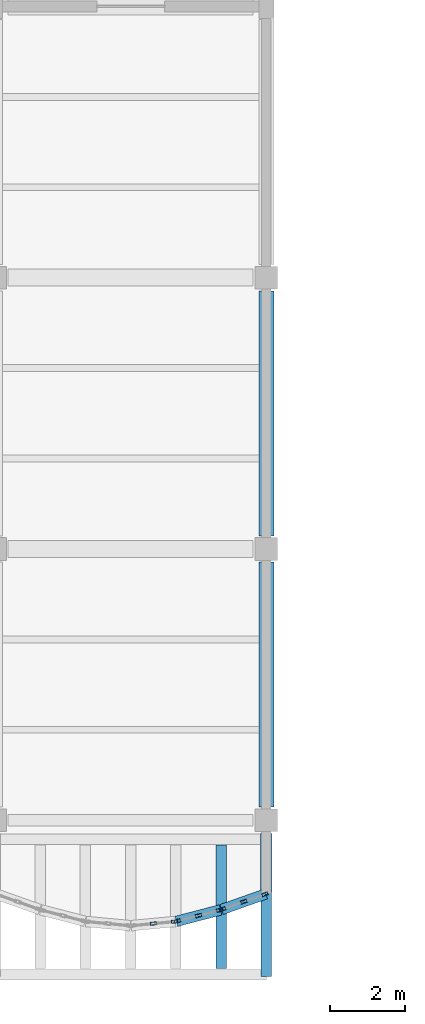
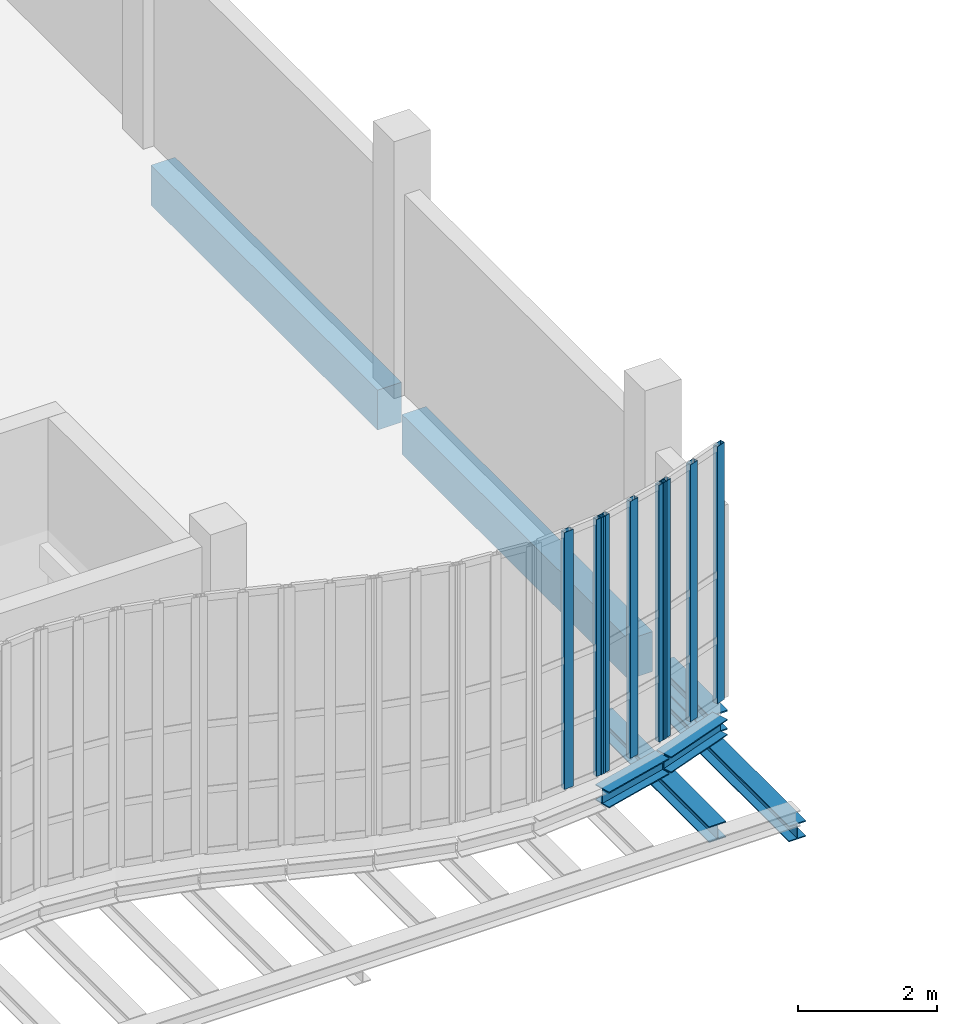
# One storey, part 35 of 105: 8 members, 7 beams, 3 elements without a shape of their own.
"""IFC4 building model written with IfcOpenShell, lengths in metres."""

from ifc_helpers import new_model, si_unit, direction, frame, origin, origin_2d, place, context, subcontext, project, spatial, rectangle, hollow_rectangle, i_section, extrude, material, layer, layer_set, material_profile, profile_set, type_object, element, aggregate, save


model = new_model("IFC4")

# Units and contexts
model_context = context("Model", 3, precision=1e-05, world=origin(), true_north=direction((0.0, 1.0)))
body_context = subcontext(model_context, "Body", "Model", "MODEL_VIEW")
ifc_project = project(units=[si_unit("LENGTHUNIT", "METRE"), si_unit("AREAUNIT", "SQUARE_METRE"), si_unit("VOLUMEUNIT", "CUBIC_METRE"), si_unit("PLANEANGLEUNIT", "RADIAN"), si_unit("MASSUNIT", "GRAM", prefix="KILO"), si_unit("THERMODYNAMICTEMPERATUREUNIT", "KELVIN"), si_unit("POWERUNIT", "WATT")], contexts=[model_context])

# Site, building, storey
site_placement = place(None, origin())
site = spatial("IfcSite", under=ifc_project, at=site_placement, CompositionType="ELEMENT")
building_placement = place(site_placement, origin())
building = spatial("IfcBuilding", under=site, at=building_placement, Name="Kaldorven Railside Theatre", CompositionType="ELEMENT")
storey_placement = place(building_placement, frame((0.0, 0.0, 9.89990234375)))
storey = spatial("IfcBuildingStorey", under=building, at=storey_placement, Name="L02", CompositionType="ELEMENT", Elevation=9.89990234375)

# Beams
ifc_material_1 = material(Name="Steel S355", Category="steel")
ifc_material_profile_1 = material_profile(ifc_material_1, i_section(OverallWidth=0.280029296875, OverallDepth=0.280029296875, WebThickness=0.010498046875, FlangeThickness=0.01806640625, at=origin_2d()), Name="HEB 280")
ifc_profile_set_1 = profile_set([ifc_material_profile_1], Name="Steel S355")
beam_type_1 = type_object("IfcBeamType", Name="BM-HEB280", PredefinedType="SPANDREL", material=ifc_profile_set_1)
beam_1_placement = place(storey_placement, frame((123.199951171875, 15.050048828125, -0.97998046875), z_axis=(0.0, 1.0, 0.0), x_axis=(-1.0, 0.0, 0.0)))
element("IfcBeam", 1, at=beam_1_placement, inside=storey, type_object=beam_type_1, Name="L02 Sinusoidal Lower Cantilever Girder FOB-K024", PredefinedType="SPANDREL", context=body_context, shape_type="SweptSolid", body=[
    extrude(i_section(OverallWidth=0.280029296875, OverallDepth=0.280029296875, WebThickness=0.010498046875, FlangeThickness=0.01806640625, at=origin_2d()), origin(), (0.0, 0.0, 1.0), 3.800048828125),
])
beam_2_placement = place(storey_placement, frame((120.814453125, 16.517578125, -0.419921875), z_axis=(0.967980555895, 0.25102518481, 0.0), x_axis=(-0.25102518481, 0.967980555895, 0.0)))
element("IfcBeam", 2, at=beam_2_placement, inside=storey, type_object=beam_type_1, Name="L02 Sinusoidal Flute Edge Spandrel FSB-143", PredefinedType="SPANDREL", context=body_context, shape_type="SweptSolid", body=[
    extrude(i_section(OverallWidth=0.280029296875, OverallDepth=0.280029296875, WebThickness=0.010498046875, FlangeThickness=0.01806640625, at=origin_2d()), origin(), (0.0, 0.0, 1.0), 1.2099609375),
])
beam_3_placement = place(storey_placement, frame((122.01416015625, 16.830078125, -0.419921875), z_axis=(0.942605331688, 0.333908952671, 0.0), x_axis=(-0.333908952671, 0.942605331688, 0.0)))
element("IfcBeam", 3, at=beam_3_placement, inside=storey, type_object=beam_type_1, Name="L02 Sinusoidal Flute Edge Spandrel FSB-144", PredefinedType="SPANDREL", context=body_context, shape_type="SweptSolid", body=[
    extrude(i_section(OverallWidth=0.280029296875, OverallDepth=0.280029296875, WebThickness=0.010498046875, FlangeThickness=0.01806640625, at=origin_2d()), origin(), (0.0, 0.0, 1.0), 1.242919921875),
])
beam_4_placement = place(storey_placement, frame((122.0, 15.260009765625, -0.699951171875), z_axis=(0.0, 1.0, 0.0), x_axis=(-1.0, 0.0, 0.0)))
element("IfcBeam", 4, at=beam_4_placement, inside=storey, type_object=beam_type_1, Name="L02 Sinusoidal Diaphragm Rib Outrigger FOB-M144", PredefinedType="SPANDREL", context=body_context, shape_type="SweptSolid", body=[
    extrude(i_section(OverallWidth=0.280029296875, OverallDepth=0.280029296875, WebThickness=0.010498046875, FlangeThickness=0.01806640625, at=origin_2d()), origin(), (0.0, 0.0, 1.0), 3.280029296875),
])
ifc_material_profile_2 = material_profile(ifc_material_1, i_section(OverallWidth=0.300048828125, OverallDepth=0.340087890625, WebThickness=0.011962890625, FlangeThickness=0.021484375, at=origin_2d()), Name="HEB 340")
ifc_profile_set_2 = profile_set([ifc_material_profile_2], Name="Steel S355")
beam_type_2 = type_object("IfcBeamType", Name="BM-HEB340", PredefinedType="SPANDREL", material=ifc_profile_set_2)
beam_5_placement = place(storey_placement, frame((123.199951171875, 17.31005859375, -0.449951171875), z_axis=(0.0, 1.0, 0.0), x_axis=(-1.0, 0.0, 0.0)))
element("IfcBeam", 5, at=beam_5_placement, inside=storey, type_object=beam_type_2, Name="L02 Sinusoidal Veil Outrigger FOB-2123", PredefinedType="SPANDREL", context=body_context, shape_type="SweptSolid", body=[
    extrude(i_section(OverallWidth=0.300048828125, OverallDepth=0.340087890625, WebThickness=0.011962890625, FlangeThickness=0.021484375, at=origin_2d()), origin(), (0.0, 0.0, 1.0), 1.5400390625),
])
ifc_material_2 = material(Name="Concrete C40/50", Category="concrete")
ifc_material_profile_3 = material_profile(ifc_material_2, rectangle(XDim=0.39990234375, YDim=0.699951171875, at=origin_2d()), Name="RC 400x700")
ifc_profile_set_3 = profile_set([ifc_material_profile_3], Name="Concrete C40/50")
beam_type_3 = type_object("IfcBeamType", Name="BM-RC400x700", PredefinedType="BEAM", material=ifc_profile_set_3)
for number, where, z_axis, x_axis, name in (
    (6, (123.199951171875, 19.550048828125, -0.6298828125), (0.0, 1.0, 0.0), (-1.0, 0.0, 0.0), "L02 Girder BGY-L02-123-019-72"),
    (7, (123.199951171875, 26.75, -0.6298828125), (0.0, 1.0, 0.0), (-1.0, 0.0, 0.0), "L02 Girder BGY-L02-123-026-72"),
):
    element("IfcBeam", number, at=place(storey_placement, frame(where, z_axis=z_axis, x_axis=x_axis)), inside=storey, type_object=beam_type_3, Name=name, PredefinedType="BEAM", context=body_context, shape_type="SweptSolid", body=[
        extrude(rectangle(XDim=0.39990234375, YDim=0.699951171875, at=origin_2d()), origin(), (0.0, 0.0, 1.0), 6.5),
    ])

# Curtain wall, members
ifc_material_3 = material(Name="Low-E laminated solar-control glass", Category="glass")
ifc_layer_1 = layer(ifc_material_3, 0.159912109375, Name="Low-E laminated solar-control glass")
ifc_layer_set_1 = layer_set([ifc_layer_1], Name="Low-E laminated solar-control glass")
curtain_wall_type_1 = type_object("IfcCurtainWallType", Name="CWT-03", PredefinedType="USERDEFINED", material=ifc_layer_set_1)
curtain_wall_1_placement = place(storey_placement, origin())
curtain_wall_1 = element("IfcCurtainWall", 8, at=curtain_wall_1_placement, inside=storey, type_object=curtain_wall_type_1, Name="Sinusoidal Fluted Curtain Wall CW-L02-S70", ObjectType="FLUTED GLAZING", PredefinedType="USERDEFINED")
ifc_material_4 = material(Name="Anodised bronze aluminium", Category="aluminium")
ifc_material_profile_4 = material_profile(ifc_material_4, hollow_rectangle(XDim=0.080078125, YDim=0.159912109375, WallThickness=0.00634765625, at=origin_2d()), Name="RHS 160x80x6.3")
ifc_profile_set_4 = profile_set([ifc_material_profile_4], Name="Anodised bronze aluminium")
member_type = type_object("IfcMemberType", Name="CWM-160", PredefinedType="MULLION", material=ifc_profile_set_4)
member_1_placement = place(storey_placement, frame((120.199951171875, 16.45703125, 0.0), z_axis=(0.0, 0.0, 1.0), x_axis=(-0.094491973758, 0.995525623425, 0.0)))
member_1 = element("IfcMember", 9, at=member_1_placement, type_object=member_type, Name="CW-L02-S70 mullion 2", PredefinedType="MULLION", context=body_context, shape_type="SweptSolid", body=[
    extrude(hollow_rectangle(XDim=0.080078125, YDim=0.159912109375, WallThickness=0.00634765625, at=origin_2d()), origin(), (0.0, 0.0, 1.0), 4.5),
])
member_2_placement = place(storey_placement, frame((120.76025390625, 16.510009765625, 0.0), z_axis=(0.0, 0.0, 1.0), x_axis=(-0.094491973758, 0.995525623425, 0.0)))
member_2 = element("IfcMember", 10, at=member_2_placement, type_object=member_type, Name="CW-L02-S70 mullion 3", PredefinedType="MULLION", context=body_context, shape_type="SweptSolid", body=[
    extrude(hollow_rectangle(XDim=0.080078125, YDim=0.159912109375, WallThickness=0.00634765625, at=origin_2d()), origin(), (0.0, 0.0, 1.0), 4.5),
])
aggregate(curtain_wall_1, [member_1, member_2])

ifc_layer_2 = layer(ifc_material_3, 0.159912109375, Name="Low-E laminated solar-control glass")
ifc_layer_set_2 = layer_set([ifc_layer_2], Name="Low-E laminated solar-control glass")
curtain_wall_type_2 = type_object("IfcCurtainWallType", Name="CWT-02", PredefinedType="USERDEFINED", material=ifc_layer_set_2)
curtain_wall_2_placement = place(storey_placement, origin())
curtain_wall_2 = element("IfcCurtainWall", 11, at=curtain_wall_2_placement, inside=storey, type_object=curtain_wall_type_2, Name="Sinusoidal Fluted Curtain Wall CW-L02-S71", ObjectType="FLUTED GLAZING", PredefinedType="USERDEFINED")
member_3_placement = place(storey_placement, frame((120.838623046875, 16.52392578125, 0.0), z_axis=(0.0, 0.0, 1.0), x_axis=(-0.250953760326, 0.967999075505, 0.0)))
member_3 = element("IfcMember", 12, at=member_3_placement, type_object=member_type, Name="CW-L02-S71 mullion 1", PredefinedType="MULLION", context=body_context, shape_type="SweptSolid", body=[
    extrude(hollow_rectangle(XDim=0.080078125, YDim=0.159912109375, WallThickness=0.00634765625, at=origin_2d()), origin(), (0.0, 0.0, 1.0), 4.5),
])
member_4_placement = place(storey_placement, frame((121.39990234375, 16.66943359375, 0.0), z_axis=(0.0, 0.0, 1.0), x_axis=(-0.250953760326, 0.967999075505, 0.0)))
member_4 = element("IfcMember", 13, at=member_4_placement, type_object=member_type, Name="CW-L02-S71 mullion 2", PredefinedType="MULLION", context=body_context, shape_type="SweptSolid", body=[
    extrude(hollow_rectangle(XDim=0.080078125, YDim=0.159912109375, WallThickness=0.00634765625, at=origin_2d()), origin(), (0.0, 0.0, 1.0), 4.5),
])
member_5_placement = place(storey_placement, frame((121.961181640625, 16.81494140625, 0.0), z_axis=(0.0, 0.0, 1.0), x_axis=(-0.250953760326, 0.967999075505, 0.0)))
member_5 = element("IfcMember", 14, at=member_5_placement, type_object=member_type, Name="CW-L02-S71 mullion 3", PredefinedType="MULLION", context=body_context, shape_type="SweptSolid", body=[
    extrude(hollow_rectangle(XDim=0.080078125, YDim=0.159912109375, WallThickness=0.00634765625, at=origin_2d()), origin(), (0.0, 0.0, 1.0), 4.5),
])
aggregate(curtain_wall_2, [member_3, member_4, member_5])

ifc_layer_3 = layer(ifc_material_3, 0.159912109375, Name="Low-E laminated solar-control glass")
ifc_layer_set_3 = layer_set([ifc_layer_3], Name="Low-E laminated solar-control glass")
curtain_wall_type_3 = type_object("IfcCurtainWallType", Name="CWT-01", PredefinedType="USERDEFINED", material=ifc_layer_set_3)
curtain_wall_3_placement = place(storey_placement, origin())
curtain_wall_3 = element("IfcCurtainWall", 15, at=curtain_wall_3_placement, inside=storey, type_object=curtain_wall_type_3, Name="Sinusoidal Fluted Curtain Wall CW-L02-S72", ObjectType="FLUTED GLAZING", PredefinedType="USERDEFINED")
member_6_placement = place(storey_placement, frame((122.03759765625, 16.83837890625, 0.0), z_axis=(0.0, 0.0, 1.0), x_axis=(-0.33384714225, 0.942627225159, 0.0)))
member_6 = element("IfcMember", 16, at=member_6_placement, type_object=member_type, Name="CW-L02-S72 mullion 1", PredefinedType="MULLION", context=body_context, shape_type="SweptSolid", body=[
    extrude(hollow_rectangle(XDim=0.080078125, YDim=0.159912109375, WallThickness=0.00634765625, at=origin_2d()), origin(), (0.0, 0.0, 1.0), 4.5),
])
member_7_placement = place(storey_placement, frame((122.60009765625, 17.03759765625, 0.0), z_axis=(0.0, 0.0, 1.0), x_axis=(-0.33384714225, 0.942627225159, 0.0)))
member_7 = element("IfcMember", 17, at=member_7_placement, type_object=member_type, Name="CW-L02-S72 mullion 2", PredefinedType="MULLION", context=body_context, shape_type="SweptSolid", body=[
    extrude(hollow_rectangle(XDim=0.080078125, YDim=0.159912109375, WallThickness=0.00634765625, at=origin_2d()), origin(), (0.0, 0.0, 1.0), 4.5),
])
member_8_placement = place(storey_placement, frame((123.162353515625, 17.236572265625, 0.0), z_axis=(0.0, 0.0, 1.0), x_axis=(-0.33384714225, 0.942627225159, 0.0)))
member_8 = element("IfcMember", 18, at=member_8_placement, type_object=member_type, Name="CW-L02-S72 mullion 3", PredefinedType="MULLION", context=body_context, shape_type="SweptSolid", body=[
    extrude(hollow_rectangle(XDim=0.080078125, YDim=0.159912109375, WallThickness=0.00634765625, at=origin_2d()), origin(), (0.0, 0.0, 1.0), 4.5),
])
aggregate(curtain_wall_3, [member_6, member_7, member_8])

save(model, "model.ifc")
